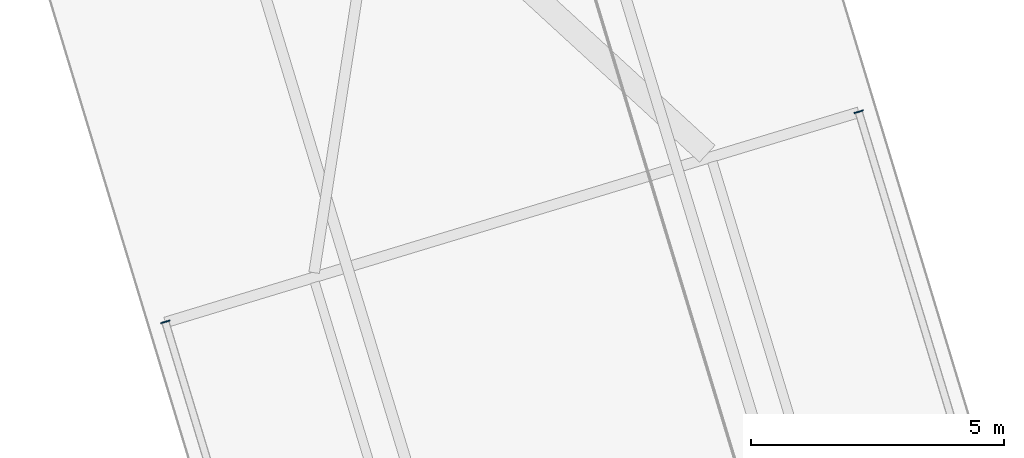
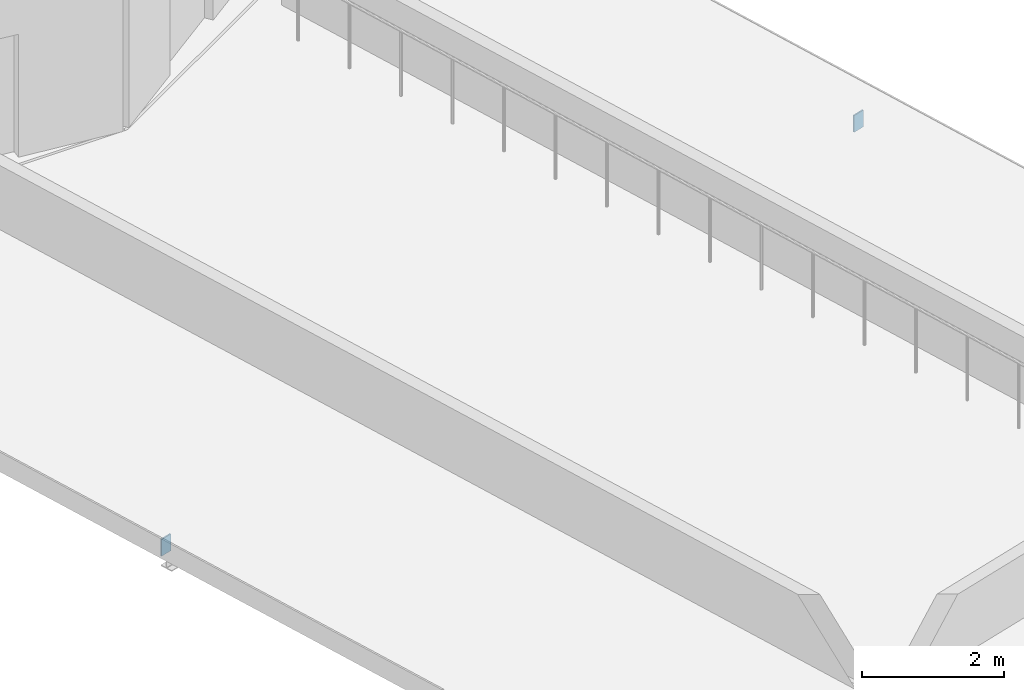
# One storey, part 30 of 68: 2 plates.
"""IFC4 building model written with IfcOpenShell, lengths in metres."""

import ifcopenshell
import ifcopenshell.guid

model = None  # the IFC model being written
_history = None  # IfcOwnerHistory: only IFC2X3 demands one
_inside = {}  # id of a spatial element -> (the spatial element, [elements in it])
_under = {}  # id of a project, library or spatial element -> (it, [spatial elements below it])
_declared = {}  # id of a project -> (the project, [libraries it declares])
_typed = {}  # id of a type object -> (the type object, [elements of that type])
_made_of = {}  # id of a material, layer set ... -> (it, [elements and type objects made of it])


def new_model(schema):
    """Start an empty IFC model of exactly this schema.

    Asked for "IFC4X3", IfcOpenShell would pick the latest addendum, in which some entities
    have other attributes; the version numbers below select the first issue.
    IFC2X3 requires an IfcOwnerHistory on every rooted entity: one is made here for all.
    """
    global model, _history
    if schema == "IFC4X3":
        model = ifcopenshell.file(schema_version=(4, 3, 0, 0))
    else:
        model = ifcopenshell.file(schema=schema)
    _inside.clear()
    _under.clear()
    _declared.clear()
    _typed.clear()
    _made_of.clear()
    _history = None
    if model.schema == "IFC2X3":
        org = make("IfcOrganization", Name="unknown")
        user = make(
            "IfcPersonAndOrganization",
            ThePerson=make("IfcPerson", FamilyName="unknown"),
            TheOrganization=org,
        )
        app = make(
            "IfcApplication",
            ApplicationDeveloper=org,
            Version="unknown",
            ApplicationFullName="unknown",
            ApplicationIdentifier="unknown",
        )
        _history = make(
            "IfcOwnerHistory",
            OwningUser=user,
            OwningApplication=app,
            ChangeAction="ADDED",
            CreationDate=0,
        )
    return model


def make(cls, **values):
    """One entity of the class cls with the attributes given. An attribute that is None is left unset."""
    return model.create_entity(
        cls, **{name: value for name, value in values.items() if value is not None}
    )


def rooted(cls, **values):
    """An entity with a GlobalId (a new one), such as an element, a storey or a relation."""
    return make(cls, GlobalId=ifcopenshell.guid.new(), OwnerHistory=_history, **values)


def si_unit(unit_type, name, prefix=None):
    """IfcSIUnit, for example si_unit("LENGTHUNIT", "METRE", prefix="MILLI")."""
    return make("IfcSIUnit", UnitType=unit_type, Prefix=prefix, Name=name)


def assignment(units):
    """IfcUnitAssignment: the units of a project."""
    return None if units is None else make("IfcUnitAssignment", Units=units)


def point(xyz):
    """IfcCartesianPoint."""
    return None if xyz is None else make("IfcCartesianPoint", Coordinates=xyz)


def direction(xyz):
    """IfcDirection."""
    return None if xyz is None else make("IfcDirection", DirectionRatios=xyz)


def frame(location, z_axis=None, x_axis=None):
    """IfcAxis2Placement3D, a coordinate frame: its origin and axes. An axis left out is left unset."""
    return make(
        "IfcAxis2Placement3D",
        Location=point(location),
        Axis=direction(z_axis),
        RefDirection=direction(x_axis),
    )


def frame_2d(location, x_axis=None):
    """IfcAxis2Placement2D, a coordinate frame in the plane: its origin and x axis."""
    return make(
        "IfcAxis2Placement2D", Location=point(location), RefDirection=direction(x_axis)
    )


def origin():
    """The frame at (0, 0, 0) with its axes left unset."""
    return frame((0.0, 0.0, 0.0))


def origin_2d():
    """The frame at (0, 0) in the plane with its x axis left unset."""
    return frame_2d((0.0, 0.0))


def place(relative_to, where):
    """IfcLocalPlacement: puts the frame where relative to a parent placement (None: the world)."""
    return make(
        "IfcLocalPlacement", PlacementRelTo=relative_to, RelativePlacement=where
    )


def context(
    kind, dimensions, precision=None, world=None, true_north=None, identifier=None
):
    """IfcGeometricRepresentationContext, for example the 3D "Model" context."""
    return make(
        "IfcGeometricRepresentationContext",
        ContextIdentifier=identifier,
        ContextType=kind,
        CoordinateSpaceDimension=dimensions,
        Precision=precision,
        WorldCoordinateSystem=world,
        TrueNorth=true_north,
    )


def subcontext(parent, identifier, kind, view, scale=None):
    """IfcGeometricRepresentationSubContext, for example "Body" below "Model"."""
    return make(
        "IfcGeometricRepresentationSubContext",
        ContextIdentifier=identifier,
        ContextType=kind,
        ParentContext=parent,
        TargetScale=scale,
        TargetView=view,
    )


def project(units=None, contexts=None):
    """IfcProject with its units and contexts."""
    return rooted(
        "IfcProject",
        Name="project",
        RepresentationContexts=contexts,
        UnitsInContext=assignment(units),
    )


def spatial(cls, under=None, at=None, **own):
    """A site, building, storey or space (cls), placed at a placement, below another one or the project."""
    s = rooted(cls, ObjectPlacement=at, **own)
    if under is not None:
        _under.setdefault(under.id(), (under, []))[1].append(s)
    return s


def profile(cls, at=None, kind="AREA", **sizes):
    """A parametric profile (cls). Its sizes go by their IFC names, for example OverallWidth=200.0."""
    return make(cls, ProfileType=kind, Position=at, **sizes)


def rectangle(**sizes):
    """IfcRectangleProfileDef."""
    return profile("IfcRectangleProfileDef", **sizes)


def extrude(swept, where, along, depth):
    """IfcExtrudedAreaSolid: the profile swept, set in the frame where, extruded along a direction by depth."""
    return make(
        "IfcExtrudedAreaSolid",
        SweptArea=swept,
        Position=where,
        ExtrudedDirection=direction(along),
        Depth=depth,
    )


def shape(context_of_items, identifier, shape_type, items):
    """IfcShapeRepresentation: the items that make up one representation, for example the "Body"."""
    return make(
        "IfcShapeRepresentation",
        ContextOfItems=context_of_items,
        RepresentationIdentifier=identifier,
        RepresentationType=shape_type,
        Items=items,
    )


def material(Name=None, Category=None):
    """IfcMaterial."""
    return make("IfcMaterial", Name=Name, Category=Category)


def layer(
    of_material, thickness, ventilated=None, Name=None, Category=None, Priority=None
):
    """IfcMaterialLayer: one layer of a wall or slab, of a material (None: an air gap)."""
    return make(
        "IfcMaterialLayer",
        Material=of_material,
        LayerThickness=thickness,
        IsVentilated=ventilated,
        Name=Name,
        Category=Category,
        Priority=Priority,
    )


def layer_set(layers, Name=None):
    """IfcMaterialLayerSet."""
    return make("IfcMaterialLayerSet", MaterialLayers=layers, LayerSetName=Name)


def made_of(thing, what):
    """Note that an element or type object is made of a material, layer set ...; save() writes the relation."""
    if what is not None:
        _made_of.setdefault(what.id(), (what, []))[1].append(thing)
    return thing


def type_object(cls, material=None, **own):
    """A type object (cls), such as IfcWallType, which elements share."""
    return made_of(rooted(cls, **own), material)


def element(
    cls,
    number,
    at=None,
    inside=None,
    cuts=None,
    type_object=None,
    material=None,
    context=None,
    identifier="Body",
    shape_type=None,
    held_by="IfcProductDefinitionShape",
    body=None,
    shapes=None,
    **own,
):
    """One element of the class cls, such as IfcWall. Its Tag is "e" and its number.

    at: its placement. inside: the storey or other place that contains it. cuts: it is an
    opening in that element (IfcRelVoidsElement). A single representation is given by context,
    identifier, shape_type and body (its items); several are given by shapes. held_by: the class
    of the entity that holds the representations. save() writes the other relations.
    """
    e = rooted(cls, Tag="e%d" % number, ObjectPlacement=at, **own)
    if body is not None:
        shapes = [shape(context, identifier, shape_type, body)]
    if shapes is not None:
        e.Representation = make(held_by, Representations=shapes)
    if inside is not None:
        _inside.setdefault(inside.id(), (inside, []))[1].append(e)
    if cuts is not None:
        rooted(
            "IfcRelVoidsElement", RelatingBuildingElement=cuts, RelatedOpeningElement=e
        )
    if type_object is not None:
        _typed.setdefault(type_object.id(), (type_object, []))[1].append(e)
    return made_of(e, material)


def aggregate(whole, parts):
    """IfcRelAggregates: a whole, such as a stair, and the parts it consists of."""
    return rooted("IfcRelAggregates", RelatingObject=whole, RelatedObjects=parts)


def save(model, path):
    """Write the relations noted so far, then the file.

    IfcRelAggregates (storeys below a building ...), IfcRelContainedInSpatialStructure (elements
    in a storey), IfcRelDefinesByType, IfcRelAssociatesMaterial and IfcRelDeclares: one each for
    every whole, place, type object, material and project.
    """
    for whole, parts in _under.values():
        aggregate(whole, parts)
    for where, things in _inside.values():
        rooted(
            "IfcRelContainedInSpatialStructure",
            RelatedElements=things,
            RelatingStructure=where,
        )
    for kind, things in _typed.values():
        rooted("IfcRelDefinesByType", RelatedObjects=things, RelatingType=kind)
    for what, things in _made_of.values():
        rooted("IfcRelAssociatesMaterial", RelatedObjects=things, RelatingMaterial=what)
    for by, libraries in _declared.values():
        rooted("IfcRelDeclares", RelatingContext=by, RelatedDefinitions=libraries)
    model.write(path)


model = new_model("IFC4")

# Units and contexts
model_context = context("Model", 3, precision=1e-05, world=origin(), true_north=direction((0.0, 1.0)))
body_context = subcontext(model_context, "Body", "Model", "MODEL_VIEW")
ifc_project = project(units=[si_unit("LENGTHUNIT", "METRE"), si_unit("AREAUNIT", "SQUARE_METRE"), si_unit("VOLUMEUNIT", "CUBIC_METRE"), si_unit("PLANEANGLEUNIT", "RADIAN"), si_unit("MASSUNIT", "GRAM", prefix="KILO")], contexts=[model_context])

# Site, building, storey
site_placement = place(None, origin())
site = spatial("IfcSite", under=ifc_project, at=site_placement, CompositionType="ELEMENT")
building_placement = place(site_placement, origin())
building = spatial("IfcBuilding", under=site, at=building_placement, Name="Wrenclough Park School", CompositionType="ELEMENT")
storey_placement = place(building_placement, frame((0.0, 0.0, 12.60009765625)))
storey = spatial("IfcBuildingStorey", under=building, at=storey_placement, Name="L03", CompositionType="ELEMENT", Elevation=12.60009765625)

# Plates
ifc_material = material(Name="Structural steel S355", Category="steel")
ifc_layer = layer(ifc_material, 0.2900390625)
ifc_layer_set = layer_set([ifc_layer], Name="Structural steel S355")
plate_type = type_object("IfcPlateType", Name="STR-PL-EP250", PredefinedType="SHEET", material=ifc_layer_set)
for number, where, z_axis, x_axis, name in (
    (1, (15.654052734375, 67.636962890625, -0.5), (0.0, 0.0, 1.0), (-0.290034140915, 0.957016299288, 0.0), "W23 eave fascia L4 end sealing end-cap plate"),
    (2, (29.339599609375, 71.783935546875, -0.5), (0.0, 0.0, 1.0), (-0.290034140915, 0.957016299288, 0.0), "W23 eave fascia R4 end sealing end-cap plate"),
):
    element("IfcPlate", number, at=place(storey_placement, frame(where, z_axis=z_axis, x_axis=x_axis)), inside=storey, type_object=plate_type, Name=name, PredefinedType="SHEET", context=body_context, shape_type="SweptSolid", body=[
        extrude(rectangle(XDim=0.02197265625, YDim=0.18994140625, at=origin_2d()), origin(), (0.0, 0.0, 1.0), 0.2900390625),
    ])

save(model, "model.ifc")
